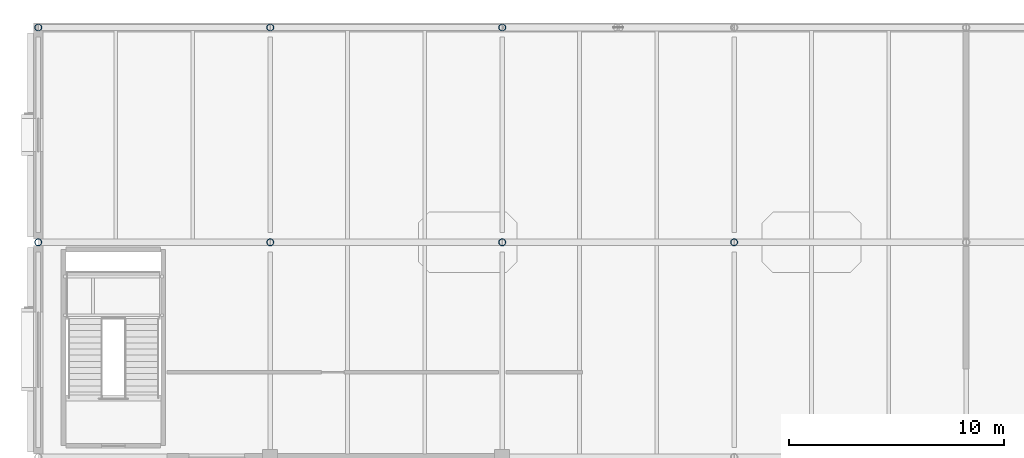
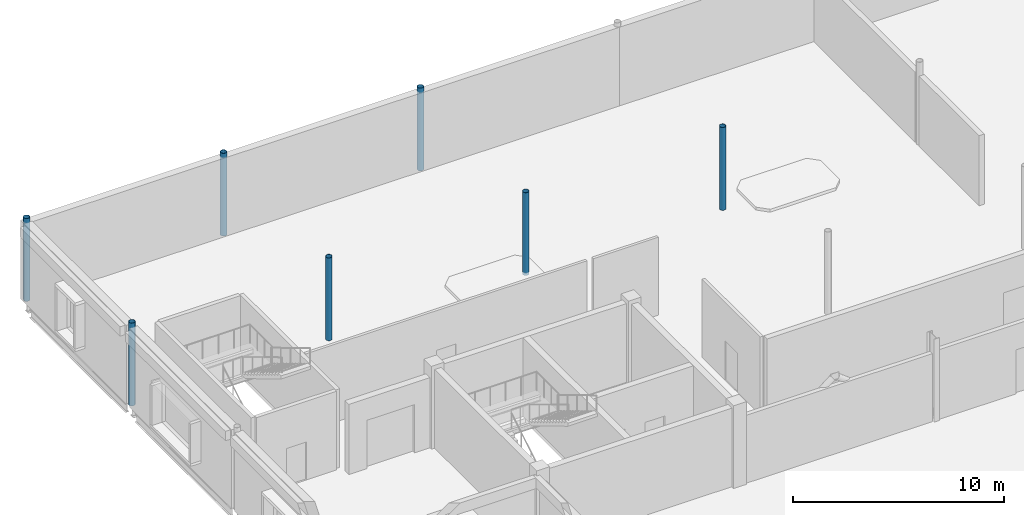
# One storey, part 10 of 92: 7 columns.
"""IFC4 building model written with IfcOpenShell, lengths in metres."""

import ifcopenshell
import ifcopenshell.guid

model = None  # the IFC model being written
_history = None  # IfcOwnerHistory: only IFC2X3 demands one
_inside = {}  # id of a spatial element -> (the spatial element, [elements in it])
_under = {}  # id of a project, library or spatial element -> (it, [spatial elements below it])
_declared = {}  # id of a project -> (the project, [libraries it declares])
_typed = {}  # id of a type object -> (the type object, [elements of that type])
_made_of = {}  # id of a material, layer set ... -> (it, [elements and type objects made of it])


def new_model(schema):
    """Start an empty IFC model of exactly this schema.

    Asked for "IFC4X3", IfcOpenShell would pick the latest addendum, in which some entities
    have other attributes; the version numbers below select the first issue.
    IFC2X3 requires an IfcOwnerHistory on every rooted entity: one is made here for all.
    """
    global model, _history
    if schema == "IFC4X3":
        model = ifcopenshell.file(schema_version=(4, 3, 0, 0))
    else:
        model = ifcopenshell.file(schema=schema)
    _inside.clear()
    _under.clear()
    _declared.clear()
    _typed.clear()
    _made_of.clear()
    _history = None
    if model.schema == "IFC2X3":
        org = make("IfcOrganization", Name="unknown")
        user = make(
            "IfcPersonAndOrganization",
            ThePerson=make("IfcPerson", FamilyName="unknown"),
            TheOrganization=org,
        )
        app = make(
            "IfcApplication",
            ApplicationDeveloper=org,
            Version="unknown",
            ApplicationFullName="unknown",
            ApplicationIdentifier="unknown",
        )
        _history = make(
            "IfcOwnerHistory",
            OwningUser=user,
            OwningApplication=app,
            ChangeAction="ADDED",
            CreationDate=0,
        )
    return model


def make(cls, **values):
    """One entity of the class cls with the attributes given. An attribute that is None is left unset."""
    return model.create_entity(
        cls, **{name: value for name, value in values.items() if value is not None}
    )


def rooted(cls, **values):
    """An entity with a GlobalId (a new one), such as an element, a storey or a relation."""
    return make(cls, GlobalId=ifcopenshell.guid.new(), OwnerHistory=_history, **values)


def si_unit(unit_type, name, prefix=None):
    """IfcSIUnit, for example si_unit("LENGTHUNIT", "METRE", prefix="MILLI")."""
    return make("IfcSIUnit", UnitType=unit_type, Prefix=prefix, Name=name)


def assignment(units):
    """IfcUnitAssignment: the units of a project."""
    return None if units is None else make("IfcUnitAssignment", Units=units)


def point(xyz):
    """IfcCartesianPoint."""
    return None if xyz is None else make("IfcCartesianPoint", Coordinates=xyz)


def direction(xyz):
    """IfcDirection."""
    return None if xyz is None else make("IfcDirection", DirectionRatios=xyz)


def frame(location, z_axis=None, x_axis=None):
    """IfcAxis2Placement3D, a coordinate frame: its origin and axes. An axis left out is left unset."""
    return make(
        "IfcAxis2Placement3D",
        Location=point(location),
        Axis=direction(z_axis),
        RefDirection=direction(x_axis),
    )


def frame_2d(location, x_axis=None):
    """IfcAxis2Placement2D, a coordinate frame in the plane: its origin and x axis."""
    return make(
        "IfcAxis2Placement2D", Location=point(location), RefDirection=direction(x_axis)
    )


def origin():
    """The frame at (0, 0, 0) with its axes left unset."""
    return frame((0.0, 0.0, 0.0))


def origin_2d():
    """The frame at (0, 0) in the plane with its x axis left unset."""
    return frame_2d((0.0, 0.0))


def place(relative_to, where):
    """IfcLocalPlacement: puts the frame where relative to a parent placement (None: the world)."""
    return make(
        "IfcLocalPlacement", PlacementRelTo=relative_to, RelativePlacement=where
    )


def context(
    kind, dimensions, precision=None, world=None, true_north=None, identifier=None
):
    """IfcGeometricRepresentationContext, for example the 3D "Model" context."""
    return make(
        "IfcGeometricRepresentationContext",
        ContextIdentifier=identifier,
        ContextType=kind,
        CoordinateSpaceDimension=dimensions,
        Precision=precision,
        WorldCoordinateSystem=world,
        TrueNorth=true_north,
    )


def subcontext(parent, identifier, kind, view, scale=None):
    """IfcGeometricRepresentationSubContext, for example "Body" below "Model"."""
    return make(
        "IfcGeometricRepresentationSubContext",
        ContextIdentifier=identifier,
        ContextType=kind,
        ParentContext=parent,
        TargetScale=scale,
        TargetView=view,
    )


def project(units=None, contexts=None):
    """IfcProject with its units and contexts."""
    return rooted(
        "IfcProject",
        Name="project",
        RepresentationContexts=contexts,
        UnitsInContext=assignment(units),
    )


def spatial(cls, under=None, at=None, **own):
    """A site, building, storey or space (cls), placed at a placement, below another one or the project."""
    s = rooted(cls, ObjectPlacement=at, **own)
    if under is not None:
        _under.setdefault(under.id(), (under, []))[1].append(s)
    return s


def profile(cls, at=None, kind="AREA", **sizes):
    """A parametric profile (cls). Its sizes go by their IFC names, for example OverallWidth=200.0."""
    return make(cls, ProfileType=kind, Position=at, **sizes)


def hollow_circle(**sizes):
    """IfcCircleHollowProfileDef."""
    return profile("IfcCircleHollowProfileDef", **sizes)


def extrude(swept, where, along, depth):
    """IfcExtrudedAreaSolid: the profile swept, set in the frame where, extruded along a direction by depth."""
    return make(
        "IfcExtrudedAreaSolid",
        SweptArea=swept,
        Position=where,
        ExtrudedDirection=direction(along),
        Depth=depth,
    )


def shape(context_of_items, identifier, shape_type, items):
    """IfcShapeRepresentation: the items that make up one representation, for example the "Body"."""
    return make(
        "IfcShapeRepresentation",
        ContextOfItems=context_of_items,
        RepresentationIdentifier=identifier,
        RepresentationType=shape_type,
        Items=items,
    )


def material(Name=None, Category=None):
    """IfcMaterial."""
    return make("IfcMaterial", Name=Name, Category=Category)


def material_profile(
    of_material, cross_section, Name=None, Category=None, Priority=None
):
    """IfcMaterialProfile: a cross section and its material."""
    return make(
        "IfcMaterialProfile",
        Name=Name,
        Material=of_material,
        Profile=cross_section,
        Priority=Priority,
        Category=Category,
    )


def profile_set(profiles, Name=None, composite=None):
    """IfcMaterialProfileSet."""
    return make(
        "IfcMaterialProfileSet",
        Name=Name,
        MaterialProfiles=profiles,
        CompositeProfile=composite,
    )


def made_of(thing, what):
    """Note that an element or type object is made of a material, layer set ...; save() writes the relation."""
    if what is not None:
        _made_of.setdefault(what.id(), (what, []))[1].append(thing)
    return thing


def type_object(cls, material=None, **own):
    """A type object (cls), such as IfcWallType, which elements share."""
    return made_of(rooted(cls, **own), material)


def element(
    cls,
    number,
    at=None,
    inside=None,
    cuts=None,
    type_object=None,
    material=None,
    context=None,
    identifier="Body",
    shape_type=None,
    held_by="IfcProductDefinitionShape",
    body=None,
    shapes=None,
    **own,
):
    """One element of the class cls, such as IfcWall. Its Tag is "e" and its number.

    at: its placement. inside: the storey or other place that contains it. cuts: it is an
    opening in that element (IfcRelVoidsElement). A single representation is given by context,
    identifier, shape_type and body (its items); several are given by shapes. held_by: the class
    of the entity that holds the representations. save() writes the other relations.
    """
    e = rooted(cls, Tag="e%d" % number, ObjectPlacement=at, **own)
    if body is not None:
        shapes = [shape(context, identifier, shape_type, body)]
    if shapes is not None:
        e.Representation = make(held_by, Representations=shapes)
    if inside is not None:
        _inside.setdefault(inside.id(), (inside, []))[1].append(e)
    if cuts is not None:
        rooted(
            "IfcRelVoidsElement", RelatingBuildingElement=cuts, RelatedOpeningElement=e
        )
    if type_object is not None:
        _typed.setdefault(type_object.id(), (type_object, []))[1].append(e)
    return made_of(e, material)


def aggregate(whole, parts):
    """IfcRelAggregates: a whole, such as a stair, and the parts it consists of."""
    return rooted("IfcRelAggregates", RelatingObject=whole, RelatedObjects=parts)


def save(model, path):
    """Write the relations noted so far, then the file.

    IfcRelAggregates (storeys below a building ...), IfcRelContainedInSpatialStructure (elements
    in a storey), IfcRelDefinesByType, IfcRelAssociatesMaterial and IfcRelDeclares: one each for
    every whole, place, type object, material and project.
    """
    for whole, parts in _under.values():
        aggregate(whole, parts)
    for where, things in _inside.values():
        rooted(
            "IfcRelContainedInSpatialStructure",
            RelatedElements=things,
            RelatingStructure=where,
        )
    for kind, things in _typed.values():
        rooted("IfcRelDefinesByType", RelatedObjects=things, RelatingType=kind)
    for what, things in _made_of.values():
        rooted("IfcRelAssociatesMaterial", RelatedObjects=things, RelatingMaterial=what)
    for by, libraries in _declared.values():
        rooted("IfcRelDeclares", RelatingContext=by, RelatedDefinitions=libraries)
    model.write(path)


model = new_model("IFC4")

# Units and contexts
model_context = context("Model", 3, precision=1e-05, world=origin(), true_north=direction((0.0, 1.0)))
body_context = subcontext(model_context, "Body", "Model", "MODEL_VIEW")
ifc_project = project(units=[si_unit("LENGTHUNIT", "METRE"), si_unit("AREAUNIT", "SQUARE_METRE"), si_unit("VOLUMEUNIT", "CUBIC_METRE"), si_unit("PLANEANGLEUNIT", "RADIAN"), si_unit("MASSUNIT", "GRAM", prefix="KILO")], contexts=[model_context])

# Site, building, storey
site_placement = place(None, origin())
site = spatial("IfcSite", under=ifc_project, at=site_placement, CompositionType="ELEMENT")
building_placement = place(site_placement, origin())
building = spatial("IfcBuilding", under=site, at=building_placement, Name="Tasgan Crest Museum", CompositionType="ELEMENT")
storey_placement = place(building_placement, frame((0.0, 0.0, 4.800048828125)))
storey = spatial("IfcBuildingStorey", under=building, at=storey_placement, Name="L01", CompositionType="ELEMENT", Elevation=4.800048828125)

# Columns
ifc_material = material(Name="Steel S355K2", Category="steel")
ifc_material_profile = material_profile(ifc_material, hollow_circle(Radius=0.161865234375, WallThickness=0.01416015625, at=origin_2d()), Name="CHS 323.9x14.2")
ifc_profile_set = profile_set([ifc_material_profile], Name="Steel S355K2")
column_type = type_object("IfcColumnType", Name="COL-CHS323", PredefinedType="COLUMN", material=ifc_profile_set)
for number, where, z_axis, x_axis, name in (
    (1, (0.0, 102.0, 0.0), (0.0, 0.0, 1.0), (1.0, 0.0, 0.0), "Column 1/L L01"),
    (2, (0.0, 112.0, 0.0), (0.0, 0.0, 1.0), (1.0, 0.0, 0.0), "Column 1/M L01"),
    (3, (10.800048828125, 102.0, 0.0), (0.0, 0.0, 1.0), (1.0, 0.0, 0.0), "Column 2/L L01"),
    (4, (10.800048828125, 112.0, 0.0), (0.0, 0.0, 1.0), (1.0, 0.0, 0.0), "Column 2/M L01"),
    (5, (21.60009765625, 102.0, 0.0), (0.0, 0.0, 1.0), (1.0, 0.0, 0.0), "Column 3/L L01"),
    (6, (21.60009765625, 112.0, 0.0), (0.0, 0.0, 1.0), (1.0, 0.0, 0.0), "Column 3/M L01"),
    (7, (32.39990234375, 102.0, 0.0), (0.0, 0.0, 1.0), (1.0, 0.0, 0.0), "Column 4/L L01"),
):
    element("IfcColumn", number, at=place(storey_placement, frame(where, z_axis=z_axis, x_axis=x_axis)), inside=storey, type_object=column_type, Name=name, PredefinedType="COLUMN", context=body_context, shape_type="SweptSolid", body=[
        extrude(hollow_circle(Radius=0.161865234375, WallThickness=0.01416015625, at=origin_2d()), origin(), (0.0, 0.0, 1.0), 4.800048828125),
    ])

save(model, "model.ifc")
